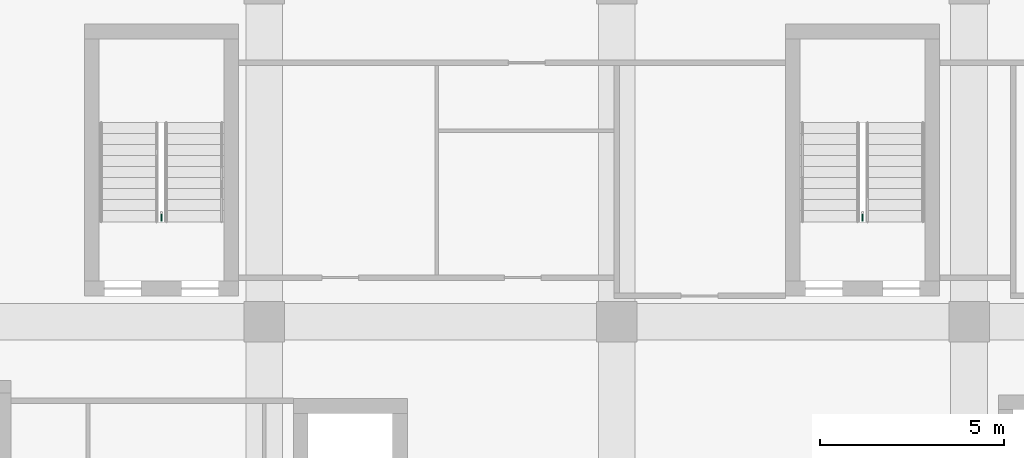
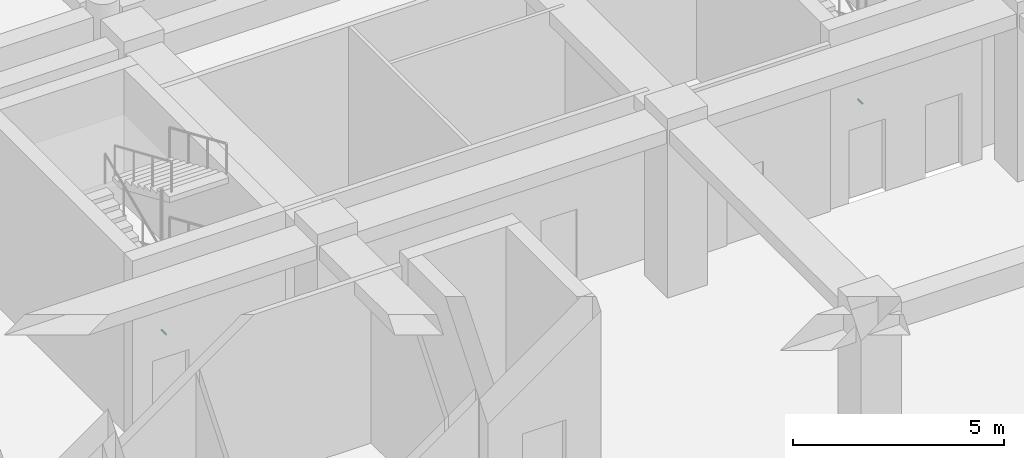
# One storey, part 27 of 31: 2 pipe fittings.
"""IFC4 building model written with IfcOpenShell, lengths in metres."""

from ifc_helpers import new_model, si_unit, direction, frame, origin, origin_2d, place, context, subcontext, project, spatial, circle, extrude, element, save


model = new_model("IFC4")

# Units and contexts
model_context = context("Model", 3, precision=1e-05, world=origin(), true_north=direction((0.0, 1.0)))
body_context = subcontext(model_context, "Body", "Model", "MODEL_VIEW")
ifc_project = project(units=[si_unit("LENGTHUNIT", "METRE"), si_unit("AREAUNIT", "SQUARE_METRE"), si_unit("VOLUMEUNIT", "CUBIC_METRE"), si_unit("PLANEANGLEUNIT", "RADIAN"), si_unit("MASSUNIT", "GRAM", prefix="KILO")], contexts=[model_context])

# Site, building, storey
site_placement = place(None, origin())
site = spatial("IfcSite", under=ifc_project, at=site_placement, CompositionType="ELEMENT")
building_placement = place(site_placement, origin())
building = spatial("IfcBuilding", under=site, at=building_placement, Name="Nzadi Deep Aquarium and Research Tower", CompositionType="ELEMENT")
storey_placement = place(building_placement, frame((0.0, 0.0, 26.699951171875)))
storey = spatial("IfcBuildingStorey", under=building, at=storey_placement, Name="L04", CompositionType="ELEMENT", Elevation=26.699951171875)

# Pipe fittings
for number, where, z_axis, x_axis, name in (
    (1, (6.800048828125, 39.77001953125, 1.10009765625), (0.0, -1.0, 0.0), (1.0, 0.0, 0.0), "Dry riser outlet ST-Z1-NW L04"),
    (2, (25.89990234375, 39.77001953125, 1.10009765625), (0.0, -1.0, 0.0), (1.0, 0.0, 0.0), "Dry riser outlet ST-Z1-NE L04"),
):
    element("IfcPipeFitting", number, at=place(storey_placement, frame(where, z_axis=z_axis, x_axis=x_axis)), inside=storey, Name=name, PredefinedType="EXIT", context=body_context, shape_type="SweptSolid", body=[
        extrude(circle(Radius=0.0224609375, at=origin_2d()), origin(), (0.0, 0.0, 1.0), 0.22998046875),
    ])

save(model, "model.ifc")
